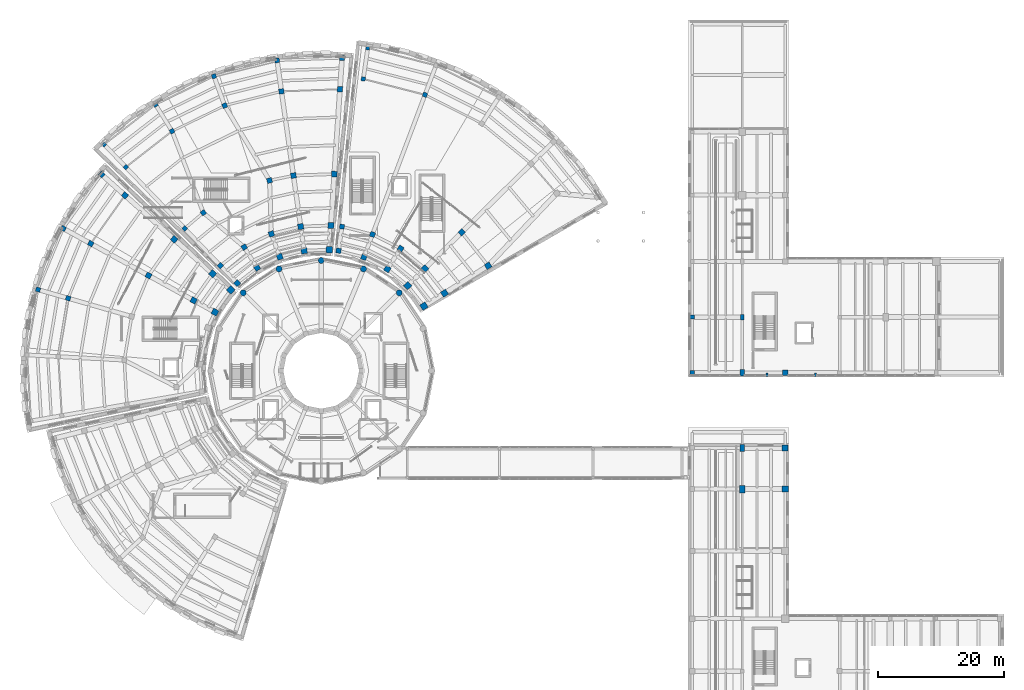
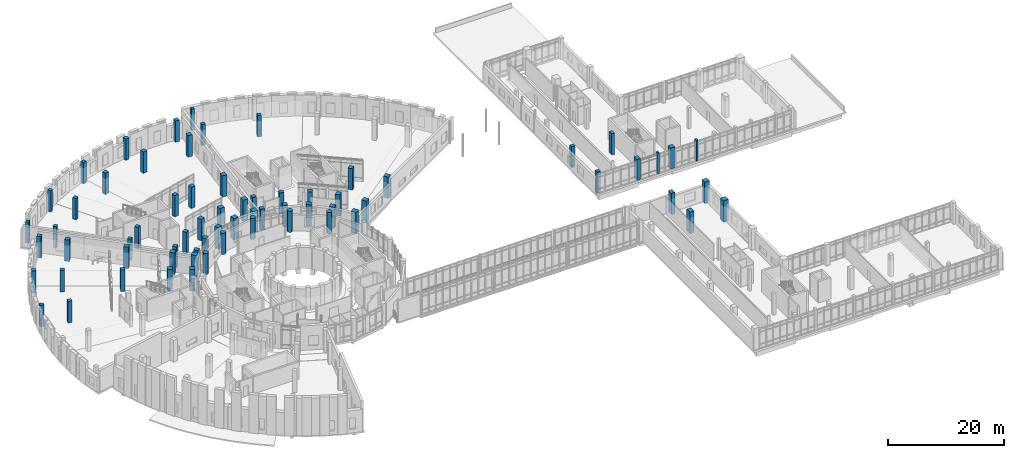
# One storey, part 5 of 89: 68 columns.
"""IFC4 building model written with IfcOpenShell, lengths in metres."""

from ifc_helpers import new_model, si_unit, direction, frame, origin, origin_2d, place, context, subcontext, project, spatial, rectangle, circle, extrude, material, material_profile, profile_set, type_object, element, save


model = new_model("IFC4")

# Units and contexts
model_context = context("Model", 3, precision=1e-05, world=origin(), true_north=direction((0.0, 1.0)))
body_context = subcontext(model_context, "Body", "Model", "MODEL_VIEW")
ifc_project = project(units=[si_unit("LENGTHUNIT", "METRE"), si_unit("AREAUNIT", "SQUARE_METRE"), si_unit("VOLUMEUNIT", "CUBIC_METRE"), si_unit("PLANEANGLEUNIT", "RADIAN"), si_unit("MASSUNIT", "GRAM", prefix="KILO")], contexts=[model_context])

# Site, building, storey
site_placement = place(None, origin())
site = spatial("IfcSite", under=ifc_project, at=site_placement, CompositionType="ELEMENT")
building_placement = place(site_placement, origin())
building = spatial("IfcBuilding", under=site, at=building_placement, Name="Soyqirgoq Riverine Aquarium", CompositionType="ELEMENT")
storey_placement = place(building_placement, frame((0.0, 0.0, 5.39990234375)))
storey = spatial("IfcBuildingStorey", under=building, at=storey_placement, Name="L02", CompositionType="ELEMENT", Elevation=5.39990234375)

# Columns
ifc_material_1 = material(Name="Concrete C40/50", Category="concrete")
ifc_material_profile_1 = material_profile(ifc_material_1, circle(Radius=0.47509765625, at=origin_2d()), Name="RC-COL D950")
ifc_profile_set_1 = profile_set([ifc_material_profile_1], Name="Concrete C40/50")
column_type_1 = type_object("IfcColumnType", Name="Col_Circ_D950", PredefinedType="COLUMN", material=ifc_profile_set_1)
for number, where, z_axis, x_axis, name in (
    (1, (68.339111328125, 69.339111328125, 0.0), (0.0, 0.0, 1.0), (0.707106781187, 0.707106781187, 0.0), "V1 Column V1-CO03 L02"),
    (2, (62.677734375, 73.12158203125, 0.0), (0.0, 0.0, 1.0), (0.382683432365, 0.923879532511, 0.0), "V1 Column V1-CO04 L02"),
    (3, (56.0, 74.449951171875, 0.0), (0.0, 0.0, 1.0), (0.0, 1.0, 0.0), "V1 Column V1-CO05 L02"),
    (4, (49.322265625, 73.12158203125, 0.0), (0.0, 0.0, 1.0), (-0.382683432365, 0.923879532511, 0.0), "V1 Column V1-CO06 L02"),
    (5, (43.660888671875, 69.339111328125, 0.0), (0.0, 0.0, 1.0), (-0.707106781187, 0.707106781187, 0.0), "V1 Column V1-CO07 L02"),
):
    element("IfcColumn", number, at=place(storey_placement, frame(where, z_axis=z_axis, x_axis=x_axis)), inside=storey, type_object=column_type_1, Name=name, PredefinedType="COLUMN", context=body_context, shape_type="SweptSolid", body=[
        extrude(circle(Radius=0.47509765625, at=origin_2d()), origin(), (0.0, 0.0, 1.0), 4.4501953125),
    ])
ifc_material_2 = material(Name="Concrete C40/50", Category="concrete")
ifc_material_profile_2 = material_profile(ifc_material_2, rectangle(XDim=1.0, YDim=1.0, at=origin_2d()), Name="RC 1000x1000")
ifc_profile_set_2 = profile_set([ifc_material_profile_2], Name="Concrete C40/50")
column_type_2 = type_object("IfcColumnType", Name="Col_RC_1000x1000", PredefinedType="COLUMN", material=ifc_profile_set_2)
column_1_placement = place(storey_placement, frame((41.68701171875, 69.79736328125, 0.0), z_axis=(0.0, 0.0, 1.0), x_axis=(-0.745475999683, 0.666532470249, 0.0)))
element("IfcColumn", 6, at=column_1_placement, inside=storey, type_object=column_type_2, Name="V3 Column V3-CR1-01 L02", PredefinedType="COLUMN", context=body_context, shape_type="SweptSolid", body=[
    extrude(rectangle(XDim=1.0, YDim=1.0, at=origin_2d()), origin(), (0.0, 0.0, 1.0), 4.52001953125),
])
for number, where, z_axis, x_axis, name in (
    (7, (57.2724609375, 76.15771484375, 0.0), (0.0, 0.0, 1.0), (0.0662739004, 0.997801468292, 0.0), "V4 Column V4-CR1-01 L02"),
    (8, (72.246826171875, 67.231201171875, 0.0), (0.0, 0.0, 1.0), (0.846193166128, 0.532876276071, 0.0), "V5 Column V5-CR1-01 L02"),
):
    element("IfcColumn", number, at=place(storey_placement, frame(where, z_axis=z_axis, x_axis=x_axis)), inside=storey, type_object=column_type_2, Name=name, PredefinedType="COLUMN", context=body_context, shape_type="SweptSolid", body=[
        extrude(rectangle(XDim=1.0, YDim=1.0, at=origin_2d()), origin(), (0.0, 0.0, 1.0), 4.5),
    ])
column_2_placement = place(storey_placement, frame((129.39990234375, 38.300048828125, 0.0), z_axis=(0.0, 0.0, 1.0), x_axis=(1.0, 0.0, 0.0)))
element("IfcColumn", 9, at=column_2_placement, inside=storey, type_object=column_type_2, Name="V6 Column V6-C-18 L02", PredefinedType="COLUMN", context=body_context, shape_type="SweptSolid", body=[
    extrude(rectangle(XDim=1.0, YDim=1.0, at=origin_2d()), origin(), (0.0, 0.0, 1.0), 4.52001953125),
])
ifc_material_3 = material(Name="Concrete C40/50", Category="concrete")
ifc_material_profile_3 = material_profile(ifc_material_3, rectangle(XDim=0.60009765625, YDim=0.60009765625, at=origin_2d()), Name="RC 600x600")
ifc_profile_set_3 = profile_set([ifc_material_profile_3], Name="Concrete C40/50")
column_type_3 = type_object("IfcColumnType", Name="Col_RC_600x600", PredefinedType="COLUMN", material=ifc_profile_set_3)
for number, where, z_axis, x_axis, name in (
    (10, (21.669677734375, 92.79931640625, 0.0), (0.0, 0.0, 1.0), (-0.69214317387, 0.721760228098, 0.0), "V4 Column V4-CR5-05 L02"),
    (11, (63.359619140625, 108.072509765625, 0.0), (0.0, 0.0, 1.0), (0.142628933706, 0.989776230908, 0.0), "V5 Column V5-CR5-05 L02"),
):
    element("IfcColumn", number, at=place(storey_placement, frame(where, z_axis=z_axis, x_axis=x_axis)), inside=storey, type_object=column_type_3, Name=name, PredefinedType="COLUMN", context=body_context, shape_type="SweptSolid", body=[
        extrude(rectangle(XDim=0.60009765625, YDim=0.60009765625, at=origin_2d()), origin(), (0.0, 0.0, 1.0), 4.5),
    ])
ifc_material_4 = material(Name="Concrete C40/50", Category="concrete")
ifc_material_profile_4 = material_profile(ifc_material_4, rectangle(XDim=0.60009765625, YDim=0.89990234375, at=origin_2d()), Name="RC-COL 600x900")
ifc_profile_set_4 = profile_set([ifc_material_profile_4], Name="Concrete C40/50")
column_type_4 = type_object("IfcColumnType", Name="Col_RC_600x900", PredefinedType="COLUMN", material=ifc_profile_set_4)
column_3_placement = place(storey_placement, frame((122.60009765625, 65.5, 0.0), z_axis=(0.0, 0.0, 1.0), x_axis=(1.0, 0.0, 0.0)))
element("IfcColumn", 12, at=column_3_placement, inside=storey, type_object=column_type_4, Name="V7 Column V7-C-09 L02", PredefinedType="COLUMN", context=body_context, shape_type="SweptSolid", body=[
    extrude(rectangle(XDim=0.60009765625, YDim=0.89990234375, at=origin_2d()), origin(), (0.0, 0.0, 1.0), 4.4501953125),
])
ifc_material_5 = material(Name="Concrete C40/50", Category="concrete")
ifc_material_profile_5 = material_profile(ifc_material_5, rectangle(XDim=0.64990234375, YDim=0.64990234375, at=origin_2d()), Name="RC 650x650")
ifc_profile_set_5 = profile_set([ifc_material_profile_5], Name="Concrete C40/50")
column_type_5 = type_object("IfcColumnType", Name="Col_RC_650x650", PredefinedType="COLUMN", material=ifc_profile_set_5)
for number, where, z_axis, x_axis, name in (
    (13, (29.78955078125, 99.10888671875, 0.0), (0.0, 0.0, 1.0), (-0.528438334722, 0.848971687629, 0.0), "V4 Column V4-CR5-04 L02"),
    (14, (25.095703125, 89.2265625, 0.0), (0.0, 0.0, 1.0), (-0.69214317387, 0.721760228098, 0.0), "V4 Column V4-CR4-05 L02"),
    (15, (62.653564453125, 103.173095703125, 0.0), (0.0, 0.0, 1.0), (0.142628933706, 0.989776230908, 0.0), "V5 Column V5-CR4-05 L02"),
):
    element("IfcColumn", number, at=place(storey_placement, frame(where, z_axis=z_axis, x_axis=x_axis)), inside=storey, type_object=column_type_5, Name=name, PredefinedType="COLUMN", context=body_context, shape_type="SweptSolid", body=[
        extrude(rectangle(XDim=0.64990234375, YDim=0.64990234375, at=origin_2d()), origin(), (0.0, 0.0, 1.0), 4.5),
    ])
column_4_placement = place(storey_placement, frame((114.699951171875, 65.5, 0.0), z_axis=(0.0, 0.0, 1.0), x_axis=(1.0, 0.0, 0.0)))
element("IfcColumn", 16, at=column_4_placement, inside=storey, type_object=column_type_5, Name="V7 Column V7-C-02 L02", PredefinedType="COLUMN", context=body_context, shape_type="SweptSolid", body=[
    extrude(rectangle(XDim=0.64990234375, YDim=0.64990234375, at=origin_2d()), origin(), (0.0, 0.0, 1.0), 4.4501953125),
])
ifc_material_6 = material(Name="Concrete C40/50", Category="concrete")
ifc_material_profile_6 = material_profile(ifc_material_6, rectangle(XDim=0.699951171875, YDim=1.050048828125, at=origin_2d()), Name="RC-COL 700x1050")
ifc_profile_set_6 = profile_set([ifc_material_profile_6], Name="Concrete C40/50")
column_type_6 = type_object("IfcColumnType", Name="Col_RC_700x1050", PredefinedType="COLUMN", material=ifc_profile_set_6)
column_5_placement = place(storey_placement, frame((122.60009765625, 44.800048828125, 0.0), z_axis=(0.0, 0.0, 1.0), x_axis=(1.0, 0.0, 0.0)))
element("IfcColumn", 17, at=column_5_placement, inside=storey, type_object=column_type_6, Name="V6 Column V6-C-13 L02", PredefinedType="COLUMN", context=body_context, shape_type="SweptSolid", body=[
    extrude(rectangle(XDim=0.699951171875, YDim=1.050048828125, at=origin_2d()), origin(), (0.0, 0.0, 1.0), 4.52001953125),
])
column_6_placement = place(storey_placement, frame((122.60009765625, 56.699951171875, 0.0), z_axis=(0.0, 0.0, 1.0), x_axis=(1.0, 0.0, 0.0)))
element("IfcColumn", 18, at=column_6_placement, inside=storey, type_object=column_type_6, Name="V7 Column V7-C-08 L02", PredefinedType="COLUMN", context=body_context, shape_type="SweptSolid", body=[
    extrude(rectangle(XDim=0.699951171875, YDim=1.050048828125, at=origin_2d()), origin(), (0.0, 0.0, 1.0), 4.4501953125),
])
ifc_material_7 = material(Name="Concrete C40/50", Category="concrete")
ifc_material_profile_7 = material_profile(ifc_material_7, rectangle(XDim=0.699951171875, YDim=0.699951171875, at=origin_2d()), Name="RC 700x700")
ifc_profile_set_7 = profile_set([ifc_material_profile_7], Name="Concrete C40/50")
column_type_7 = type_object("IfcColumnType", Name="Col_RC_700x700", PredefinedType="COLUMN", material=ifc_profile_set_7)
column_7_placement = place(storey_placement, frame((11.205078125, 69.8447265625, 0.0), z_axis=(0.0, 0.0, 1.0), x_axis=(-0.961261695938, 0.275637355817, 0.0)))
element("IfcColumn", 19, at=column_7_placement, inside=storey, type_object=column_type_7, Name="V3 Column V3-CR5-03 L02", PredefinedType="COLUMN", context=body_context, shape_type="SweptSolid", body=[
    extrude(rectangle(XDim=0.699951171875, YDim=0.699951171875, at=origin_2d()), origin(), (0.0, 0.0, 1.0), 4.52001953125),
])
for number, where, z_axis, x_axis, name in (
    (20, (39.035888671875, 103.60888671875, 0.0), (0.0, 0.0, 1.0), (-0.342020143326, 0.939692620786, 0.0), "V4 Column V4-CR5-03 L02"),
    (21, (32.4052734375, 94.906494140625, 0.0), (0.0, 0.0, 1.0), (-0.528438334722, 0.848971687629, 0.0), "V4 Column V4-CR4-04 L02"),
    (22, (34.405029296875, 79.518798828125, 0.0), (0.0, 0.0, 1.0), (-0.69214317387, 0.721760228098, 0.0), "V4 Column V4-CR3-05 L02"),
    (23, (72.413330078125, 100.667236328125, 0.0), (0.0, 0.0, 1.0), (0.351841648405, 0.936059535739, 0.0), "V5 Column V5-CR4-04 L02"),
):
    element("IfcColumn", number, at=place(storey_placement, frame(where, z_axis=z_axis, x_axis=x_axis)), inside=storey, type_object=column_type_7, Name=name, PredefinedType="COLUMN", context=body_context, shape_type="SweptSolid", body=[
        extrude(rectangle(XDim=0.699951171875, YDim=0.699951171875, at=origin_2d()), origin(), (0.0, 0.0, 1.0), 4.5),
    ])
column_8_placement = place(storey_placement, frame((114.699951171875, 56.699951171875, 0.0), z_axis=(0.0, 0.0, 1.0), x_axis=(1.0, 0.0, 0.0)))
element("IfcColumn", 24, at=column_8_placement, inside=storey, type_object=column_type_7, Name="V7 Column V7-C-01 L02", PredefinedType="COLUMN", context=body_context, shape_type="SweptSolid", body=[
    extrude(rectangle(XDim=0.699951171875, YDim=0.699951171875, at=origin_2d()), origin(), (0.0, 0.0, 1.0), 4.4501953125),
])
ifc_material_8 = material(Name="Concrete C40/50", Category="concrete")
ifc_material_profile_8 = material_profile(ifc_material_8, rectangle(XDim=0.75, YDim=0.75, at=origin_2d()), Name="RC 750x750")
ifc_profile_set_8 = profile_set([ifc_material_profile_8], Name="Concrete C40/50")
column_type_8 = type_object("IfcColumnType", Name="Col_RC_750x750", PredefinedType="COLUMN", material=ifc_profile_set_8)
for number, where, z_axis, x_axis, name in (
    (25, (15.203369140625, 79.52099609375, 0.0), (0.0, 0.0, 1.0), (-0.875464527, 0.483282383255, 0.0), "V3 Column V3-CR5-02 L02"),
    (26, (15.96337890625, 68.480224609375, 0.0), (0.0, 0.0, 1.0), (-0.961261695938, 0.275637355817, 0.0), "V3 Column V3-CR4-03 L02"),
):
    element("IfcColumn", number, at=place(storey_placement, frame(where, z_axis=z_axis, x_axis=x_axis)), inside=storey, type_object=column_type_8, Name=name, PredefinedType="COLUMN", context=body_context, shape_type="SweptSolid", body=[
        extrude(rectangle(XDim=0.75, YDim=0.75, at=origin_2d()), origin(), (0.0, 0.0, 1.0), 4.52001953125),
    ])
for number, where, z_axis, x_axis, name in (
    (27, (49.01123046875, 106.105224609375, 0.0), (0.0, 0.0, 1.0), (-0.140901231938, 0.990023657717, 0.0), "V4 Column V4-CR5-02 L02"),
    (28, (40.728759765625, 98.957275390625, 0.0), (0.0, 0.0, 1.0), (-0.342020143326, 0.939692620786, 0.0), "V4 Column V4-CR4-03 L02"),
    (29, (37.35400390625, 82.015380859375, 0.0), (0.0, 0.0, 1.0), (-0.597625146976, 0.801775644244, 0.0), "V4 Column V4-CR3-04 L02"),
    (30, (40.046142578125, 73.63671875, 0.0), (0.0, 0.0, 1.0), (-0.69214317387, 0.721760228098, 0.0), "V4 Column V4-CR2-05 L02"),
    (31, (59.28759765625, 79.814208984375, 0.0), (0.0, 0.0, 1.0), (0.142628933706, 0.989776230908, 0.0), "V5 Column V5-CR2-05 L02"),
):
    element("IfcColumn", number, at=place(storey_placement, frame(where, z_axis=z_axis, x_axis=x_axis)), inside=storey, type_object=column_type_8, Name=name, PredefinedType="COLUMN", context=body_context, shape_type="SweptSolid", body=[
        extrude(rectangle(XDim=0.75, YDim=0.75, at=origin_2d()), origin(), (0.0, 0.0, 1.0), 4.5),
    ])
ifc_material_9 = material(Name="Concrete C40/50", Category="concrete")
ifc_material_profile_9 = material_profile(ifc_material_9, rectangle(XDim=0.800048828125, YDim=1.199951171875, at=origin_2d()), Name="RC-COL 800x1200")
ifc_profile_set_9 = profile_set([ifc_material_profile_9], Name="Concrete C40/50")
column_type_9 = type_object("IfcColumnType", Name="Col_RC_800x1200", PredefinedType="COLUMN", material=ifc_profile_set_9)
column_9_placement = place(storey_placement, frame((122.60009765625, 38.300048828125, 0.0), z_axis=(0.0, 0.0, 1.0), x_axis=(1.0, 0.0, 0.0)))
element("IfcColumn", 32, at=column_9_placement, inside=storey, type_object=column_type_9, Name="V6 Column V6-C-12 L02", PredefinedType="COLUMN", context=body_context, shape_type="SweptSolid", body=[
    extrude(rectangle(XDim=0.800048828125, YDim=1.199951171875, at=origin_2d()), origin(), (0.0, 0.0, 1.0), 4.52001953125),
])
ifc_material_10 = material(Name="Concrete C40/50", Category="concrete")
ifc_material_profile_10 = material_profile(ifc_material_10, rectangle(XDim=0.800048828125, YDim=0.800048828125, at=origin_2d()), Name="RC 800x800")
ifc_profile_set_10 = profile_set([ifc_material_profile_10], Name="Concrete C40/50")
column_type_10 = type_object("IfcColumnType", Name="Col_RC_800x800", PredefinedType="COLUMN", material=ifc_profile_set_10)
for number, where, z_axis, x_axis, name in (
    (33, (21.2607421875, 88.060302734375, 0.0), (0.0, 0.0, 1.0), (-0.745475999683, 0.666532470249, 0.0), "V3 Column V3-CR5-01 L02"),
    (34, (19.536865234375, 77.128662109375, 0.0), (0.0, 0.0, 1.0), (-0.875464527, 0.483282383255, 0.0), "V3 Column V3-CR4-02 L02"),
):
    element("IfcColumn", number, at=place(storey_placement, frame(where, z_axis=z_axis, x_axis=x_axis)), inside=storey, type_object=column_type_10, Name=name, PredefinedType="COLUMN", context=body_context, shape_type="SweptSolid", body=[
        extrude(rectangle(XDim=0.800048828125, YDim=0.800048828125, at=origin_2d()), origin(), (0.0, 0.0, 1.0), 4.52001953125),
    ])
for number, where, z_axis, x_axis, name in (
    (35, (59.287109375, 106.490966796875, 0.0), (0.0, 0.0, 1.0), (0.0662739004, 0.997801468292, 0.0), "V4 Column V4-CR5-01 L02"),
    (36, (49.708740234375, 101.20458984375, 0.0), (0.0, 0.0, 1.0), (-0.140901231938, 0.990023657717, 0.0), "V4 Column V4-CR4-02 L02"),
    (37, (47.819580078125, 87.1083984375, 0.0), (0.0, 0.0, 1.0), (-0.262189178641, 0.965016494472, 0.0), "V4 Column V4-CR3-03 L02"),
    (38, (43.819580078125, 76.56884765625, 0.0), (0.0, 0.0, 1.0), (-0.528438334722, 0.848971687629, 0.0), "V4 Column V4-CR2-04 L02"),
    (39, (42.7109375, 70.85791015625, 0.0), (0.0, 0.0, 1.0), (-0.69214317387, 0.721760228098, 0.0), "V4 Column V4-CR1-05 L02"),
    (40, (64.10986328125, 78.576171875, 0.0), (0.0, 0.0, 1.0), (0.351841648405, 0.936059535739, 0.0), "V5 Column V5-CR2-04 L02"),
    (41, (58.738525390625, 76.003662109375, 0.0), (0.0, 0.0, 1.0), (0.142628933706, 0.989776230908, 0.0), "V5 Column V5-CR1-05 L02"),
):
    element("IfcColumn", number, at=place(storey_placement, frame(where, z_axis=z_axis, x_axis=x_axis)), inside=storey, type_object=column_type_10, Name=name, PredefinedType="COLUMN", context=body_context, shape_type="SweptSolid", body=[
        extrude(rectangle(XDim=0.800048828125, YDim=0.800048828125, at=origin_2d()), origin(), (0.0, 0.0, 1.0), 4.5),
    ])
ifc_material_11 = material(Name="Concrete C40/50", Category="concrete")
ifc_material_profile_11 = material_profile(ifc_material_11, rectangle(XDim=0.85009765625, YDim=0.85009765625, at=origin_2d()), Name="RC 850x850")
ifc_profile_set_11 = profile_set([ifc_material_profile_11], Name="Concrete C40/50")
column_type_11 = type_object("IfcColumnType", Name="Col_RC_850x850", PredefinedType="COLUMN", material=ifc_profile_set_11)
for number, where, z_axis, x_axis, name in (
    (42, (24.950927734375, 84.760986328125, 0.0), (0.0, 0.0, 1.0), (-0.745475999683, 0.666532470249, 0.0), "V3 Column V3-CR4-01 L02"),
    (43, (28.685546875, 72.078369140625, 0.0), (0.0, 0.0, 1.0), (-0.875464527, 0.483282383255, 0.0), "V3 Column V3-CR3-02 L02"),
):
    element("IfcColumn", number, at=place(storey_placement, frame(where, z_axis=z_axis, x_axis=x_axis)), inside=storey, type_object=column_type_11, Name=name, PredefinedType="COLUMN", context=body_context, shape_type="SweptSolid", body=[
        extrude(rectangle(XDim=0.85009765625, YDim=0.85009765625, at=origin_2d()), origin(), (0.0, 0.0, 1.0), 4.52001953125),
    ])
for number, where, z_axis, x_axis, name in (
    (44, (58.958984375, 101.5517578125, 0.0), (0.0, 0.0, 1.0), (0.0662739004, 0.997801468292, 0.0), "V4 Column V4-CR4-01 L02"),
    (45, (51.60400390625, 87.888671875, 0.0), (0.0, 0.0, 1.0), (-0.140901231938, 0.990023657717, 0.0), "V4 Column V4-CR3-02 L02"),
    (46, (48.116455078125, 78.659912109375, 0.0), (0.0, 0.0, 1.0), (-0.342020143326, 0.939692620786, 0.0), "V4 Column V4-CR2-03 L02"),
    (47, (45.85400390625, 73.30029296875, 0.0), (0.0, 0.0, 1.0), (-0.528438334722, 0.848971687629, 0.0), "V4 Column V4-CR1-04 L02"),
    (48, (78.215087890625, 78.9072265625, 0.0), (0.0, 0.0, 1.0), (0.712026045991, 0.702153052995, 0.0), "V5 Column V5-CR3-02 L02"),
    (49, (68.553955078125, 76.331298828125, 0.0), (0.0, 0.0, 1.0), (0.544639035015, 0.838670567945, 0.0), "V5 Column V5-CR2-03 L02"),
    (50, (62.75537109375, 74.972412109375, 0.0), (0.0, 0.0, 1.0), (0.351841648405, 0.936059535739, 0.0), "V5 Column V5-CR1-04 L02"),
):
    element("IfcColumn", number, at=place(storey_placement, frame(where, z_axis=z_axis, x_axis=x_axis)), inside=storey, type_object=column_type_11, Name=name, PredefinedType="COLUMN", context=body_context, shape_type="SweptSolid", body=[
        extrude(rectangle(XDim=0.85009765625, YDim=0.85009765625, at=origin_2d()), origin(), (0.0, 0.0, 1.0), 4.5),
    ])
ifc_material_12 = material(Name="Concrete C40/50", Category="concrete")
ifc_material_profile_12 = material_profile(ifc_material_12, rectangle(XDim=0.89990234375, YDim=0.89990234375, at=origin_2d()), Name="RC 900x900")
ifc_profile_set_12 = profile_set([ifc_material_profile_12], Name="Concrete C40/50")
column_type_12 = type_object("IfcColumnType", Name="Col_RC_900x900", PredefinedType="COLUMN", material=ifc_profile_set_12)
for number, where, z_axis, x_axis, name in (
    (51, (32.7412109375, 77.7958984375, 0.0), (0.0, 0.0, 1.0), (-0.745475999683, 0.666532470249, 0.0), "V3 Column V3-CR3-01 L02"),
    (52, (35.820556640625, 68.1396484375, 0.0), (0.0, 0.0, 1.0), (-0.875464527, 0.483282383255, 0.0), "V3 Column V3-CR2-02 L02"),
):
    element("IfcColumn", number, at=place(storey_placement, frame(where, z_axis=z_axis, x_axis=x_axis)), inside=storey, type_object=column_type_12, Name=name, PredefinedType="COLUMN", context=body_context, shape_type="SweptSolid", body=[
        extrude(rectangle(XDim=0.89990234375, YDim=0.89990234375, at=origin_2d()), origin(), (0.0, 0.0, 1.0), 4.52001953125),
    ])
for number, where, z_axis, x_axis, name in (
    (53, (58.067626953125, 88.13134765625, 0.0), (0.0, 0.0, 1.0), (0.0662739004, 0.997801468292, 0.0), "V4 Column V4-CR3-01 L02"),
    (54, (52.752197265625, 79.820068359375, 0.0), (0.0, 0.0, 1.0), (-0.140901231938, 0.990023657717, 0.0), "V4 Column V4-CR2-02 L02"),
    (55, (49.43310546875, 75.0419921875, 0.0), (0.0, 0.0, 1.0), (-0.342020143326, 0.939692620786, 0.0), "V4 Column V4-CR1-03 L02"),
    (56, (82.401123046875, 73.625732421875, 0.0), (0.0, 0.0, 1.0), (0.846193166128, 0.532876276071, 0.0), "V5 Column V5-CR3-01 L02"),
    (57, (72.412109375, 73.1845703125, 0.0), (0.0, 0.0, 1.0), (0.712026045991, 0.702153052995, 0.0), "V5 Column V5-CR2-02 L02"),
    (58, (66.45703125, 73.1025390625, 0.0), (0.0, 0.0, 1.0), (0.544639035015, 0.838670567945, 0.0), "V5 Column V5-CR1-03 L02"),
):
    element("IfcColumn", number, at=place(storey_placement, frame(where, z_axis=z_axis, x_axis=x_axis)), inside=storey, type_object=column_type_12, Name=name, PredefinedType="COLUMN", context=body_context, shape_type="SweptSolid", body=[
        extrude(rectangle(XDim=0.89990234375, YDim=0.89990234375, at=origin_2d()), origin(), (0.0, 0.0, 1.0), 4.5),
    ])
column_10_placement = place(storey_placement, frame((129.39990234375, 56.699951171875, 0.0), z_axis=(0.0, 0.0, 1.0), x_axis=(1.0, 0.0, 0.0)))
element("IfcColumn", 59, at=column_10_placement, inside=storey, type_object=column_type_12, Name="V7 Column V7-C-15 L02", PredefinedType="COLUMN", context=body_context, shape_type="SweptSolid", body=[
    extrude(rectangle(XDim=0.89990234375, YDim=0.89990234375, at=origin_2d()), origin(), (0.0, 0.0, 1.0), 4.4501953125),
])
ifc_material_13 = material(Name="Concrete C40/50", Category="concrete")
ifc_material_profile_13 = material_profile(ifc_material_13, rectangle(XDim=0.949951171875, YDim=0.949951171875, at=origin_2d()), Name="RC 950x950")
ifc_profile_set_13 = profile_set([ifc_material_profile_13], Name="Concrete C40/50")
column_type_13 = type_object("IfcColumnType", Name="Col_RC_950x950", PredefinedType="COLUMN", material=ifc_profile_set_13)
for number, where, z_axis, x_axis, name in (
    (60, (38.81689453125, 72.363525390625, 0.0), (0.0, 0.0, 1.0), (-0.745475999683, 0.666532470249, 0.0), "V3 Column V3-CR2-01 L02"),
    (61, (39.191162109375, 66.279052734375, 0.0), (0.0, 0.0, 1.0), (-0.875464527, 0.483282383255, 0.0), "V3 Column V3-CR1-02 L02"),
):
    element("IfcColumn", number, at=place(storey_placement, frame(where, z_axis=z_axis, x_axis=x_axis)), inside=storey, type_object=column_type_13, Name=name, PredefinedType="COLUMN", context=body_context, shape_type="SweptSolid", body=[
        extrude(rectangle(XDim=0.949951171875, YDim=0.949951171875, at=origin_2d()), origin(), (0.0, 0.0, 1.0), 4.52001953125),
    ])
for number, where, z_axis, x_axis, name in (
    (62, (57.527587890625, 79.999267578125, 0.0), (0.0, 0.0, 1.0), (0.0662739004, 0.997801468292, 0.0), "V4 Column V4-CR2-01 L02"),
    (63, (53.294677734375, 76.008544921875, 0.0), (0.0, 0.0, 1.0), (-0.140901231938, 0.990023657717, 0.0), "V4 Column V4-CR1-02 L02"),
    (64, (75.5048828125, 69.28271484375, 0.0), (0.0, 0.0, 1.0), (0.846193166128, 0.532876276071, 0.0), "V5 Column V5-CR2-01 L02"),
    (65, (69.6708984375, 70.481201171875, 0.0), (0.0, 0.0, 1.0), (0.712026045991, 0.702153052995, 0.0), "V5 Column V5-CR1-02 L02"),
):
    element("IfcColumn", number, at=place(storey_placement, frame(where, z_axis=z_axis, x_axis=x_axis)), inside=storey, type_object=column_type_13, Name=name, PredefinedType="COLUMN", context=body_context, shape_type="SweptSolid", body=[
        extrude(rectangle(XDim=0.949951171875, YDim=0.949951171875, at=origin_2d()), origin(), (0.0, 0.0, 1.0), 4.5),
    ])
column_11_placement = place(storey_placement, frame((129.39990234375, 44.800048828125, 0.0), z_axis=(0.0, 0.0, 1.0), x_axis=(1.0, 0.0, 0.0)))
element("IfcColumn", 66, at=column_11_placement, inside=storey, type_object=column_type_13, Name="V6 Column V6-C-19 L02", PredefinedType="COLUMN", context=body_context, shape_type="SweptSolid", body=[
    extrude(rectangle(XDim=0.949951171875, YDim=0.949951171875, at=origin_2d()), origin(), (0.0, 0.0, 1.0), 4.52001953125),
])
ifc_material_14 = material(Name="Concrete C40/50", Category="concrete")
ifc_material_profile_14 = material_profile(ifc_material_14, rectangle(XDim=0.35009765625, YDim=0.550048828125, at=origin_2d()), Name="RC-PIL 350x550")
ifc_profile_set_14 = profile_set([ifc_material_profile_14], Name="Concrete C40/50")
column_type_14 = type_object("IfcColumnType", Name="Pilaster_350x550", PredefinedType="PILASTER", material=ifc_profile_set_14)
for number, where, z_axis, x_axis, name in (
    (67, (126.5, 56.35009765625, 0.0), (0.0, 0.0, 1.0), (1.0, 0.0, 0.0), "V7 Facade Pilaster PIL-V7-02 L02"),
    (68, (134.199951171875, 56.35009765625, 0.0), (0.0, 0.0, 1.0), (1.0, 0.0, 0.0), "V7 Facade Pilaster PIL-V7-04 L02"),
):
    element("IfcColumn", number, at=place(storey_placement, frame(where, z_axis=z_axis, x_axis=x_axis)), inside=storey, type_object=column_type_14, Name=name, PredefinedType="PILASTER", context=body_context, shape_type="SweptSolid", body=[
        extrude(rectangle(XDim=0.35009765625, YDim=0.550048828125, at=origin_2d()), origin(), (0.0, 0.0, 1.0), 4.4501953125),
    ])

save(model, "model.ifc")
